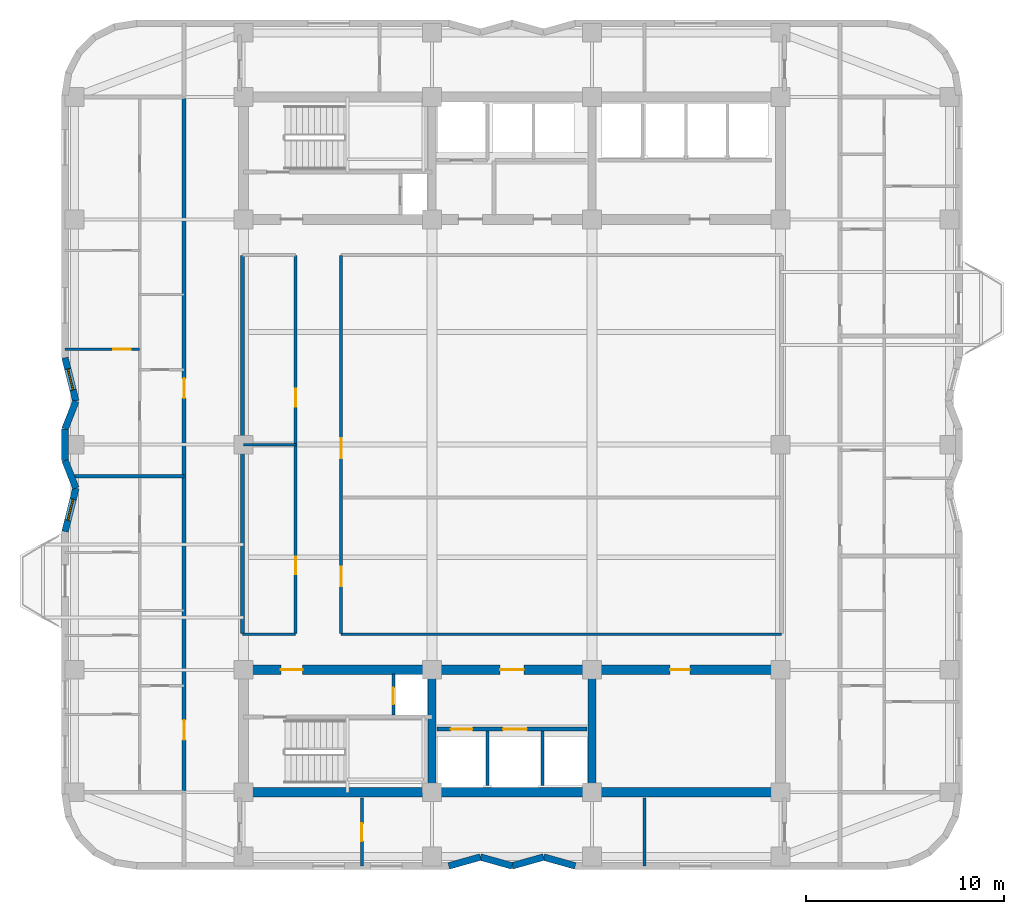
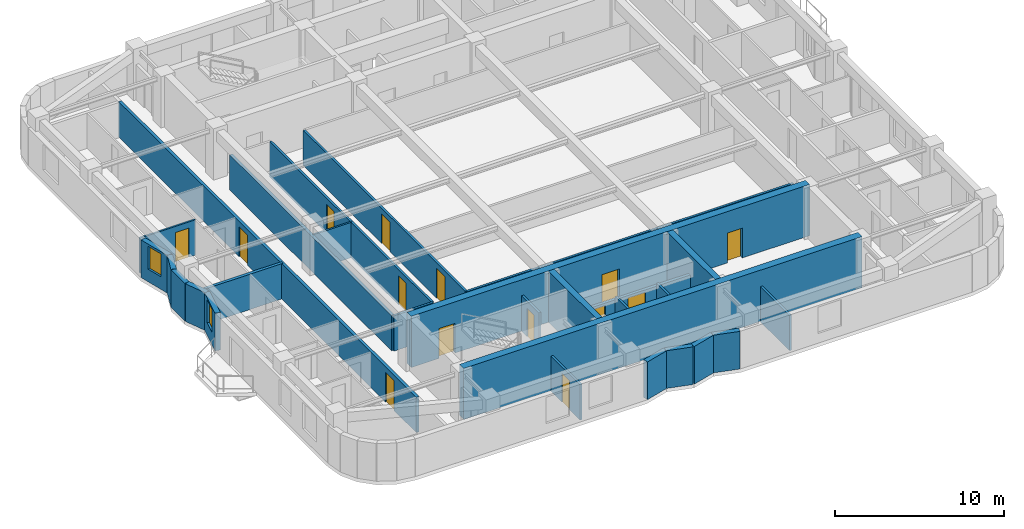
# One storey, part 3 of 8: 28 walls, 14 doors, 2 windows, 16 openings.
"""IFC4 building model written with IfcOpenShell, lengths in metres."""

from ifc_helpers import new_model, si_unit, direction, frame, frame_2d, origin, place, context, subcontext, project, spatial, rectangle, extrude, material, layer, layer_set, type_object, element, fill, save


model = new_model("IFC4")

# Units and contexts
model_context = context("Model", 3, precision=1e-05, world=origin(), true_north=direction((0.0, 1.0)))
body_context = subcontext(model_context, "Body", "Model", "MODEL_VIEW")
ifc_project = project(units=[si_unit("LENGTHUNIT", "METRE"), si_unit("AREAUNIT", "SQUARE_METRE"), si_unit("VOLUMEUNIT", "CUBIC_METRE"), si_unit("PLANEANGLEUNIT", "RADIAN"), si_unit("MASSUNIT", "GRAM", prefix="KILO")], contexts=[model_context])

# Site, building, storey
site_placement = place(None, origin())
site = spatial("IfcSite", under=ifc_project, at=site_placement, CompositionType="ELEMENT")
building_placement = place(site_placement, origin())
building = spatial("IfcBuilding", under=site, at=building_placement, Name="Svetorya Sky Lyceum", CompositionType="ELEMENT")
storey_placement = place(building_placement, frame((0.0, 0.0, 147.800048828125)))
storey = spatial("IfcBuildingStorey", under=building, at=storey_placement, Name="L36", CompositionType="ELEMENT", Elevation=147.800048828125)

# Walls
ifc_material_1 = material(Name="Concrete C40/50", Category="concrete")
ifc_layer_1 = layer(ifc_material_1, 0.39990234375)
ifc_layer_set_1 = layer_set([ifc_layer_1], Name="Concrete C40/50")
wall_type_1 = type_object("IfcWallType", Name="WL-CORE-400", PredefinedType="SHEAR", material=ifc_layer_set_1)
for number, where, z_axis, x_axis, name in (
    (1, (35.14990234375, 10.85009765625, 0.0), (0.0, 0.0, 1.0), (0.0, 1.0, 0.0), "L36 SC Internal Shear Web WEB1"),
    (2, (43.25, 10.85009765625, 0.0), (0.0, 0.0, 1.0), (0.0, 1.0, 0.0), "L36 SC Internal Shear Web WEB2"),
):
    element("IfcWall", number, at=place(storey_placement, frame(where, z_axis=z_axis, x_axis=x_axis)), inside=storey, type_object=wall_type_1, Name=name, PredefinedType="SHEAR", context=body_context, shape_type="SweptSolid", body=[
        extrude(rectangle(XDim=5.699951171875, YDim=0.39990234375, at=frame_2d((2.85009765625, 0.0))), origin(), (0.0, 0.0, 1.0), 3.699951171875),
    ])
ifc_material_2 = material(Name="Concrete C50/60", Category="concrete")
ifc_layer_2 = layer(ifc_material_2, 0.5)
ifc_layer_set_2 = layer_set([ifc_layer_2], Name="Concrete C50/60")
wall_type_2 = type_object("IfcWallType", Name="WL-CORE-500", PredefinedType="SHEAR", material=ifc_layer_set_2)
wall_1_placement = place(storey_placement, frame((52.800048828125, 10.60009765625, 0.0), z_axis=(0.0, 0.0, 1.0), x_axis=(-1.0, 0.0, 0.0)))
element("IfcWall", 3, at=wall_1_placement, inside=storey, type_object=wall_type_2, Name="L36 SC Outer Core Shear Wall", PredefinedType="SHEAR", context=body_context, shape_type="SweptSolid", body=[
    extrude(rectangle(XDim=27.199951171875, YDim=0.5, at=frame_2d((13.60009765625, 0.0))), origin(), (0.0, 0.0, 1.0), 3.699951171875),
])

# Wall, openings, doors
wall_2_placement = place(storey_placement, frame((25.60009765625, 16.800048828125, 0.0), z_axis=(0.0, 0.0, 1.0), x_axis=(1.0, 0.0, 0.0)))
wall_2 = element("IfcWall", 4, at=wall_2_placement, inside=storey, type_object=wall_type_2, Name="L36 SC Inner Core Shear Wall", PredefinedType="SHEAR", context=body_context, shape_type="SweptSolid", body=[
    extrude(rectangle(XDim=27.199951171875, YDim=0.5, at=frame_2d((13.60009765625, 0.0))), origin(), (0.0, 0.0, 1.0), 3.699951171875),
])
opening_1_placement = place(wall_2_placement, frame((1.89990234375, 0.0, 0.0)))
opening_1 = element("IfcOpeningElement", 5, at=opening_1_placement, cuts=wall_2, Name="Opening D-ST1", PredefinedType="OPENING", context=body_context, shape_type="SweptSolid", body=[
    extrude(rectangle(XDim=1.10009765625, YDim=2.14990234375, at=frame_2d((0.550048828125, 1.074951171875))), frame((0.0, 0.260009765625, 0.0), z_axis=(0.0, -1.0, 0.0), x_axis=(1.0, 0.0, 0.0)), (0.0, 0.0, 1.0), 0.52001953125),
])
opening_2_placement = place(wall_2_placement, frame((13.0, 0.0, 0.0)))
opening_2 = element("IfcOpeningElement", 6, at=opening_2_placement, cuts=wall_2, Name="Opening D-FL1", PredefinedType="OPENING", context=body_context, shape_type="SweptSolid", body=[
    extrude(rectangle(XDim=1.199951171875, YDim=2.14990234375, at=frame_2d((0.60009765625, 1.074951171875))), frame((0.0, 0.260009765625, 0.0), z_axis=(0.0, -1.0, 0.0), x_axis=(1.0, 0.0, 0.0)), (0.0, 0.0, 1.0), 0.52001953125),
])
opening_3_placement = place(wall_2_placement, frame((21.60009765625, 0.0, 0.0)))
opening_3 = element("IfcOpeningElement", 7, at=opening_3_placement, cuts=wall_2, Name="Opening D-RM2", PredefinedType="OPENING", context=body_context, shape_type="SweptSolid", body=[
    extrude(rectangle(XDim=1.0, YDim=2.14990234375, at=frame_2d((0.5, 1.074951171875))), frame((0.0, 0.260009765625, 0.0), z_axis=(0.0, -1.0, 0.0), x_axis=(1.0, 0.0, 0.0)), (0.0, 0.0, 1.0), 0.52001953125),
])
ifc_material_3 = material(Name="Powder-coated insulated galvanized stair fire door")
door_type_1 = type_object("IfcDoorType", Name="DR-FIRE-1100", OperationType="SINGLE_SWING_LEFT", PredefinedType="DOOR", material=ifc_material_3)
door_1_placement = place(opening_1_placement, origin())
door_1 = element("IfcDoor", 8, at=door_1_placement, inside=storey, type_object=door_type_1, Name="L36 South Stair Airlock Door", OperationType="SINGLE_SWING_RIGHT", OverallHeight=2.14990234375, OverallWidth=1.10009765625, PredefinedType="DOOR", context=body_context, shape_type="SweptSolid", body=[
    extrude(rectangle(XDim=1.10009765625, YDim=2.14990234375, at=frame_2d((0.550048828125, 1.074951171875))), frame((0.0, 0.02490234375, 0.0), z_axis=(0.0, -1.0, 0.0), x_axis=(1.0, 0.0, 0.0)), (0.0, 0.0, 1.0), 0.050048828125),
])
fill(opening_1, door_1)
ifc_material_4 = material(Name="Powder-coated insulated galvanized fire door")
door_type_2 = type_object("IfcDoorType", Name="DR-FIRE-1200", OperationType="SINGLE_SWING_LEFT", PredefinedType="DOOR", material=ifc_material_4)
door_2_placement = place(opening_2_placement, origin())
door_2 = element("IfcDoor", 9, at=door_2_placement, inside=storey, type_object=door_type_2, Name="L36 South Firefighting Lift Lobby Door", OperationType="SINGLE_SWING_LEFT", OverallHeight=2.14990234375, OverallWidth=1.199951171875, PredefinedType="DOOR", context=body_context, shape_type="SweptSolid", body=[
    extrude(rectangle(XDim=1.199951171875, YDim=2.14990234375, at=frame_2d((0.60009765625, 1.074951171875))), frame((0.0, 0.02490234375, 0.0), z_axis=(0.0, -1.0, 0.0), x_axis=(1.0, 0.0, 0.0)), (0.0, 0.0, 1.0), 0.050048828125),
])
fill(opening_2, door_2)
ifc_material_5 = material(Name="Solid-core oak acoustic room door")
door_type_3 = type_object("IfcDoorType", Name="DR-INT-1000", OperationType="SINGLE_SWING_LEFT", PredefinedType="DOOR", material=ifc_material_5)
door_3_placement = place(opening_3_placement, origin())
door_3 = element("IfcDoor", 10, at=door_3_placement, inside=storey, type_object=door_type_3, Name="L36 Trunk Store Door", OperationType="SINGLE_SWING_LEFT", OverallHeight=2.14990234375, OverallWidth=1.0, PredefinedType="DOOR", context=body_context, shape_type="SweptSolid", body=[
    extrude(rectangle(XDim=1.0, YDim=2.14990234375, at=frame_2d((0.5, 1.074951171875))), frame((0.0, 0.02490234375, 0.0), z_axis=(0.0, -1.0, 0.0), x_axis=(1.0, 0.0, 0.0)), (0.0, 0.0, 1.0), 0.050048828125),
])
fill(opening_3, door_3)

# Walls
ifc_material_6 = material(Name="Putilovo limestone rainscreen on autoclaved cellular masonry", Category="masonry")
ifc_layer_3 = layer(ifc_material_6, 0.340087890625)
ifc_layer_set_3 = layer_set([ifc_layer_3], Name="Putilovo limestone rainscreen on autoclaved cellular masonry")
wall_type_3 = type_object("IfcWallType", Name="WL-EXT-340", PredefinedType="SOLIDWALL", material=ifc_layer_set_3)
wall_3_placement = place(storey_placement, frame((36.0, 6.8701171875, 0.0), z_axis=(0.0, 0.0, 1.0), x_axis=(0.962662902433, 0.270703040766, 0.0)))
element("IfcWall", 11, at=wall_3_placement, inside=storey, type_object=wall_type_3, Name="L36 Limestone Exterior Wall 7M", PredefinedType="SOLIDWALL", context=body_context, shape_type="SweptSolid", body=[
    extrude(rectangle(XDim=1.662109375, YDim=0.340087890625, at=frame_2d((0.8310546875, 0.0))), origin(), (0.0, 0.0, 1.0), 2.719970703125),
])
wall_4_placement = place(storey_placement, frame((37.60009765625, 7.320068359375, 0.0), z_axis=(0.0, 0.0, 1.0), x_axis=(0.962652136636, -0.270741322725, 0.0)))
element("IfcWall", 12, at=wall_4_placement, inside=storey, type_object=wall_type_3, Name="L36 Limestone Exterior Wall 8M", PredefinedType="SOLIDWALL", context=body_context, shape_type="SweptSolid", body=[
    extrude(rectangle(XDim=1.661865234375, YDim=0.340087890625, at=frame_2d((0.8310546875, 0.0))), origin(), (0.0, 0.0, 1.0), 2.719970703125),
])
wall_5_placement = place(storey_placement, frame((39.199951171875, 6.8701171875, 0.0), z_axis=(0.0, 0.0, 1.0), x_axis=(0.962662902433, 0.270703040766, 0.0)))
element("IfcWall", 13, at=wall_5_placement, inside=storey, type_object=wall_type_3, Name="L36 Limestone Exterior Wall 9M", PredefinedType="SOLIDWALL", context=body_context, shape_type="SweptSolid", body=[
    extrude(rectangle(XDim=1.662109375, YDim=0.340087890625, at=frame_2d((0.8310546875, 0.0))), origin(), (0.0, 0.0, 1.0), 2.719970703125),
])
wall_6_placement = place(storey_placement, frame((40.800048828125, 7.320068359375, 0.0), z_axis=(0.0, 0.0, 1.0), x_axis=(0.962652136636, -0.270741322725, 0.0)))
element("IfcWall", 14, at=wall_6_placement, inside=storey, type_object=wall_type_3, Name="L36 Limestone Exterior Wall 10M", PredefinedType="SOLIDWALL", context=body_context, shape_type="SweptSolid", body=[
    extrude(rectangle(XDim=1.661865234375, YDim=0.340087890625, at=frame_2d((0.8310546875, 0.0))), origin(), (0.0, 0.0, 1.0), 2.719970703125),
])

# Wall, opening, window
wall_7_placement = place(storey_placement, frame((16.570068359375, 32.60009765625, 0.0), z_axis=(0.0, 0.0, 1.0), x_axis=(0.242535625036, -0.970142500145, 0.0)))
wall_7 = element("IfcWall", 15, at=wall_7_placement, inside=storey, type_object=wall_type_3, Name="L36 Limestone Exterior Wall 41M", PredefinedType="SOLIDWALL", context=body_context, shape_type="SweptSolid", body=[
    extrude(rectangle(XDim=2.267822265625, YDim=0.340087890625, at=frame_2d((1.1337890625, 0.0))), origin(), (0.0, 0.0, 1.0), 2.719970703125),
])
opening_4_placement = place(wall_7_placement, frame((0.583984375, 0.0, 0.909912109375)))
opening_4 = element("IfcOpeningElement", 16, at=opening_4_placement, cuts=wall_7, Name="Opening W-R3", PredefinedType="OPENING", context=body_context, shape_type="SweptSolid", body=[
    extrude(rectangle(XDim=1.10009765625, YDim=1.64990234375, at=frame_2d((0.550048828125, 0.824951171875))), frame((0.0, 0.179931640625, 0.0), z_axis=(0.0, -1.0, 0.0), x_axis=(1.0, 0.0, 0.0)), (0.0, 0.0, 1.0), 0.360107421875),
])
ifc_material_7 = material(Name="Thermally broken aluminium frame with triple low-E glazing", Category="aluminium")
window_type = type_object("IfcWindowType", Name="WN-RES-110", PartitioningType="SINGLE_PANEL", PredefinedType="WINDOW", material=ifc_material_7)
window_1_placement = place(opening_4_placement, origin())
window_1 = element("IfcWindow", 17, at=window_1_placement, inside=storey, type_object=window_type, Name="L36 Facade Window W-R3.41M.1", OverallHeight=1.64990234375, OverallWidth=1.10009765625, PartitioningType="SINGLE_PANEL", PredefinedType="WINDOW", context=body_context, shape_type="SweptSolid", body=[
    extrude(rectangle(XDim=1.10009765625, YDim=1.64990234375, at=frame_2d((0.550048828125, 0.824951171875))), frame((0.0, 0.030029296875, 0.0), z_axis=(0.0, -1.0, 0.0), x_axis=(1.0, 0.0, 0.0)), (0.0, 0.0, 1.0), 0.06005859375),
])
fill(opening_4, window_1)

# Walls
wall_8_placement = place(storey_placement, frame((17.1201171875, 30.39990234375, 0.0), z_axis=(0.0, 0.0, 1.0), x_axis=(-0.365702591843, -0.930731762818, 0.0)))
element("IfcWall", 18, at=wall_8_placement, inside=storey, type_object=wall_type_3, Name="L36 Limestone Exterior Wall 42M", PredefinedType="SOLIDWALL", context=body_context, shape_type="SweptSolid", body=[
    extrude(rectangle(XDim=1.504150390625, YDim=0.340087890625, at=frame_2d((0.751953125, 0.0))), origin(), (0.0, 0.0, 1.0), 2.719970703125),
])
wall_9_placement = place(storey_placement, frame((16.570068359375, 29.0, 0.0), z_axis=(0.0, 0.0, 1.0), x_axis=(0.0, -1.0, 0.0)))
element("IfcWall", 19, at=wall_9_placement, inside=storey, type_object=wall_type_3, Name="L36 Limestone Exterior Wall 43M", PredefinedType="SOLIDWALL", context=body_context, shape_type="SweptSolid", body=[
    extrude(rectangle(XDim=1.60009765625, YDim=0.340087890625, at=frame_2d((0.800048828125, 0.0))), origin(), (0.0, 0.0, 1.0), 2.719970703125),
])
wall_10_placement = place(storey_placement, frame((16.570068359375, 27.39990234375, 0.0), z_axis=(0.0, 0.0, 1.0), x_axis=(0.365702591843, -0.930731762818, 0.0)))
element("IfcWall", 20, at=wall_10_placement, inside=storey, type_object=wall_type_3, Name="L36 Limestone Exterior Wall 44M", PredefinedType="SOLIDWALL", context=body_context, shape_type="SweptSolid", body=[
    extrude(rectangle(XDim=1.504150390625, YDim=0.340087890625, at=frame_2d((0.751953125, 0.0))), origin(), (0.0, 0.0, 1.0), 2.719970703125),
])

# Wall, opening, window
wall_11_placement = place(storey_placement, frame((17.1201171875, 26.0, 0.0), z_axis=(0.0, 0.0, 1.0), x_axis=(-0.242560957029, -0.970136166796, 0.0)))
wall_11 = element("IfcWall", 21, at=wall_11_placement, inside=storey, type_object=wall_type_3, Name="L36 Limestone Exterior Wall 45M", PredefinedType="SOLIDWALL", context=body_context, shape_type="SweptSolid", body=[
    extrude(rectangle(XDim=2.267578125, YDim=0.340087890625, at=frame_2d((1.1337890625, 0.0))), origin(), (0.0, 0.0, 1.0), 2.719970703125),
])
opening_5_placement = place(wall_11_placement, frame((0.583984375, 0.0, 0.909912109375)))
opening_5 = element("IfcOpeningElement", 22, at=opening_5_placement, cuts=wall_11, Name="Opening W-R3", PredefinedType="OPENING", context=body_context, shape_type="SweptSolid", body=[
    extrude(rectangle(XDim=1.10009765625, YDim=1.64990234375, at=frame_2d((0.550048828125, 0.824951171875))), frame((0.0, 0.179931640625, 0.0), z_axis=(0.0, -1.0, 0.0), x_axis=(1.0, 0.0, 0.0)), (0.0, 0.0, 1.0), 0.360107421875),
])
window_2_placement = place(opening_5_placement, origin())
window_2 = element("IfcWindow", 23, at=window_2_placement, inside=storey, type_object=window_type, Name="L36 Facade Window W-R3.45M.1", OverallHeight=1.64990234375, OverallWidth=1.10009765625, PartitioningType="SINGLE_PANEL", PredefinedType="WINDOW", context=body_context, shape_type="SweptSolid", body=[
    extrude(rectangle(XDim=1.10009765625, YDim=1.64990234375, at=frame_2d((0.550048828125, 0.824951171875))), frame((0.0, 0.030029296875, 0.0), z_axis=(0.0, -1.0, 0.0), x_axis=(1.0, 0.0, 0.0)), (0.0, 0.0, 1.0), 0.06005859375),
])
fill(opening_5, window_2)

# Wall
ifc_material_8 = material(Name="Twin-stud galvanized framing with double fireboard", Category="gypsum")
ifc_layer_4 = layer(ifc_material_8, 0.1201171875)
ifc_layer_set_4 = layer_set([ifc_layer_4], Name="Twin-stud galvanized framing with double fireboard")
wall_type_4 = type_object("IfcWallType", Name="WL-PART-120", PredefinedType="PARTITIONING", material=ifc_layer_set_4)
wall_12_placement = place(storey_placement, frame((25.60009765625, 28.199951171875, 0.0), z_axis=(0.0, 0.0, 1.0), x_axis=(1.0, 0.0, 0.0)))
element("IfcWall", 24, at=wall_12_placement, inside=storey, type_object=wall_type_4, Name="L36 Interior Partition OFF-HW", PredefinedType="PARTITIONING", context=body_context, shape_type="SweptSolid", body=[
    extrude(rectangle(XDim=2.659912109375, YDim=0.1201171875, at=frame_2d((1.330078125, 0.0))), origin(), (0.0, 0.0, 1.0), 2.550048828125),
])

# Wall, opening, door
wall_13_placement = place(storey_placement, frame((16.570068359375, 33.030029296875, 0.0), z_axis=(0.0, 0.0, 1.0), x_axis=(1.0, 0.0, 0.0)))
wall_13 = element("IfcWall", 25, at=wall_13_placement, inside=storey, type_object=wall_type_4, Name="L36 Interior Partition W2-WL1", PredefinedType="PARTITIONING", context=body_context, shape_type="SweptSolid", body=[
    extrude(rectangle(XDim=3.780029296875, YDim=0.1201171875, at=frame_2d((1.89013671875, 0.0))), origin(), (0.0, 0.0, 1.0), 2.550048828125),
])
opening_6_placement = place(wall_13_placement, frame((2.429931640625, 0.0, 0.0)))
opening_6 = element("IfcOpeningElement", 26, at=opening_6_placement, cuts=wall_13, Name="Opening D-RM1", PredefinedType="OPENING", context=body_context, shape_type="SweptSolid", body=[
    extrude(rectangle(XDim=0.89990234375, YDim=2.10009765625, at=frame_2d((0.449951171875, 1.050048828125))), frame((0.0, 0.070068359375, 0.0), z_axis=(0.0, -1.0, 0.0), x_axis=(1.0, 0.0, 0.0)), (0.0, 0.0, 1.0), 0.14013671875),
])
ifc_material_9 = material(Name="Lacquered birch veneer internal door")
door_type_4 = type_object("IfcDoorType", Name="DR-INT-900", OperationType="SINGLE_SWING_LEFT", PredefinedType="DOOR", material=ifc_material_9)
door_4_placement = place(opening_6_placement, origin())
door_4 = element("IfcDoor", 27, at=door_4_placement, inside=storey, type_object=door_type_4, Name="Apartment W2 Master Bedroom Door", OperationType="SINGLE_SWING_RIGHT", OverallHeight=2.10009765625, OverallWidth=0.89990234375, PredefinedType="DOOR", context=body_context, shape_type="SweptSolid", body=[
    extrude(rectangle(XDim=0.89990234375, YDim=2.10009765625, at=frame_2d((0.449951171875, 1.050048828125))), frame((0.0, 0.02490234375, 0.0), z_axis=(0.0, -1.0, 0.0), x_axis=(1.0, 0.0, 0.0)), (0.0, 0.0, 1.0), 0.050048828125),
])
fill(opening_6, door_4)

ifc_material_10 = material(Name="Autoclaved cellular masonry blockwork with acoustic render", Category="masonry")
ifc_layer_5 = layer(ifc_material_10, 0.14990234375)
ifc_layer_set_5 = layer_set([ifc_layer_5], Name="Autoclaved cellular masonry blockwork with acoustic render")
wall_type_5 = type_object("IfcWallType", Name="WL-PART-150", PredefinedType="PARTITIONING", material=ifc_layer_set_5)
wall_14_placement = place(storey_placement, frame((33.199951171875, 14.5, 0.0), z_axis=(0.0, 0.0, 1.0), x_axis=(0.0, 1.0, 0.0)))
wall_14 = element("IfcWall", 28, at=wall_14_placement, inside=storey, type_object=wall_type_5, Name="L36 Interior Partition SC-AIRDIV", PredefinedType="PARTITIONING", context=body_context, shape_type="SweptSolid", body=[
    extrude(rectangle(XDim=2.080078125, YDim=0.14990234375, at=frame_2d((1.0400390625, 0.0))), origin(), (0.0, 0.0, 1.0), 2.550048828125),
])
opening_7_placement = place(wall_14_placement, frame((0.550048828125, 0.0, 0.0)))
opening_7 = element("IfcOpeningElement", 29, at=opening_7_placement, cuts=wall_14, Name="Opening D-SH1", PredefinedType="OPENING", context=body_context, shape_type="SweptSolid", body=[
    extrude(rectangle(XDim=0.85009765625, YDim=2.050048828125, at=frame_2d((0.425048828125, 1.02490234375))), frame((0.0, 0.0849609375, 0.0), z_axis=(0.0, -1.0, 0.0), x_axis=(1.0, 0.0, 0.0)), (0.0, 0.0, 1.0), 0.169921875),
])
ifc_material_11 = material(Name="Insulated galvanized riser inspection fire door")
door_type_5 = type_object("IfcDoorType", Name="DR-SHFT-850", OperationType="SINGLE_SWING_LEFT", PredefinedType="TRAPDOOR", material=ifc_material_11)
door_5_placement = place(opening_7_placement, origin())
door_5 = element("IfcDoor", 30, at=door_5_placement, inside=storey, type_object=door_type_5, Name="L36 South Riser Access Door", OperationType="SINGLE_SWING_RIGHT", OverallHeight=2.050048828125, OverallWidth=0.85009765625, PredefinedType="TRAPDOOR", context=body_context, shape_type="SweptSolid", body=[
    extrude(rectangle(XDim=0.85009765625, YDim=2.050048828125, at=frame_2d((0.425048828125, 1.02490234375))), frame((0.0, 0.02490234375, 0.0), z_axis=(0.0, -1.0, 0.0), x_axis=(1.0, 0.0, 0.0)), (0.0, 0.0, 1.0), 0.050048828125),
])
fill(opening_7, door_5)

# Walls
for number, where, z_axis, x_axis, name in (
    (31, (37.949951171875, 10.949951171875, 0.0), (0.0, 0.0, 1.0), (0.0, 1.0, 0.0), "L36 Interior Partition SC-SHD1"),
    (32, (40.75, 10.949951171875, 0.0), (0.0, 0.0, 1.0), (0.0, 1.0, 0.0), "L36 Interior Partition SC-SHD2"),
):
    element("IfcWall", number, at=place(storey_placement, frame(where, z_axis=z_axis, x_axis=x_axis)), inside=storey, type_object=wall_type_5, Name=name, PredefinedType="PARTITIONING", context=body_context, shape_type="SweptSolid", body=[
        extrude(rectangle(XDim=2.75, YDim=0.14990234375, at=frame_2d((1.375, 0.0))), origin(), (0.0, 0.0, 1.0), 2.550048828125),
    ])
wall_15_placement = place(storey_placement, frame((25.550048828125, 18.60009765625, 0.0), z_axis=(0.0, 0.0, 1.0), x_axis=(1.0, 0.0, 0.0)))
element("IfcWall", 33, at=wall_15_placement, inside=storey, type_object=wall_type_5, Name="L36 Interior Partition OFF-CS-W", PredefinedType="PARTITIONING", context=body_context, shape_type="SweptSolid", body=[
    extrude(rectangle(XDim=2.699951171875, YDim=0.14990234375, at=frame_2d((1.35009765625, 0.0))), origin(), (0.0, 0.0, 1.0), 2.550048828125),
])
wall_16_placement = place(storey_placement, frame((30.550048828125, 18.60009765625, 0.0), z_axis=(0.0, 0.0, 1.0), x_axis=(1.0, 0.0, 0.0)))
element("IfcWall", 34, at=wall_16_placement, inside=storey, type_object=wall_type_5, Name="L36 Interior Partition OFF-CS-E", PredefinedType="PARTITIONING", context=body_context, shape_type="SweptSolid", body=[
    extrude(rectangle(XDim=22.300048828125, YDim=0.14990234375, at=frame_2d((11.14990234375, 0.0))), origin(), (0.0, 0.0, 1.0), 2.550048828125),
])

# Wall, openings, doors
wall_17_placement = place(storey_placement, frame((28.25, 18.6298828125, 0.0), z_axis=(0.0, 0.0, 1.0), x_axis=(0.0, 1.0, 0.0)))
wall_17 = element("IfcWall", 35, at=wall_17_placement, inside=storey, type_object=wall_type_5, Name="L36 Interior Partition OFF-VW", PredefinedType="PARTITIONING", context=body_context, shape_type="SweptSolid", body=[
    extrude(rectangle(XDim=19.14013671875, YDim=0.14990234375, at=frame_2d((9.570068359375, 0.0))), origin(), (0.0, 0.0, 1.0), 2.550048828125),
])
opening_8_placement = place(wall_17_placement, frame((3.0, 0.0, 0.0)))
opening_8 = element("IfcOpeningElement", 36, at=opening_8_placement, cuts=wall_17, Name="Opening D-RM1", PredefinedType="OPENING", context=body_context, shape_type="SweptSolid", body=[
    extrude(rectangle(XDim=0.89990234375, YDim=2.10009765625, at=frame_2d((0.449951171875, 1.050048828125))), frame((0.0, 0.0849609375, 0.0), z_axis=(0.0, -1.0, 0.0), x_axis=(1.0, 0.0, 0.0)), (0.0, 0.0, 1.0), 0.169921875),
])
opening_9_placement = place(wall_17_placement, frame((11.5, 0.0, 0.0)))
opening_9 = element("IfcOpeningElement", 37, at=opening_9_placement, cuts=wall_17, Name="Opening D-RM1", PredefinedType="OPENING", context=body_context, shape_type="SweptSolid", body=[
    extrude(rectangle(XDim=0.89990234375, YDim=2.10009765625, at=frame_2d((0.449951171875, 1.050048828125))), frame((0.0, 0.0849609375, 0.0), z_axis=(0.0, -1.0, 0.0), x_axis=(1.0, 0.0, 0.0)), (0.0, 0.0, 1.0), 0.169921875),
])
door_6_placement = place(opening_8_placement, origin())
door_6 = element("IfcDoor", 38, at=door_6_placement, inside=storey, type_object=door_type_4, Name="L36 Study Door", OperationType="SINGLE_SWING_LEFT", OverallHeight=2.10009765625, OverallWidth=0.89990234375, PredefinedType="DOOR", context=body_context, shape_type="SweptSolid", body=[
    extrude(rectangle(XDim=0.89990234375, YDim=2.10009765625, at=frame_2d((0.449951171875, 1.050048828125))), frame((0.0, 0.02490234375, 0.0), z_axis=(0.0, -1.0, 0.0), x_axis=(1.0, 0.0, 0.0)), (0.0, 0.0, 1.0), 0.050048828125),
])
fill(opening_8, door_6)
door_7_placement = place(opening_9_placement, origin())
door_7 = element("IfcDoor", 39, at=door_7_placement, inside=storey, type_object=door_type_4, Name="L36 Focus Door", OperationType="SINGLE_SWING_RIGHT", OverallHeight=2.10009765625, OverallWidth=0.89990234375, PredefinedType="DOOR", context=body_context, shape_type="SweptSolid", body=[
    extrude(rectangle(XDim=0.89990234375, YDim=2.10009765625, at=frame_2d((0.449951171875, 1.050048828125))), frame((0.0, 0.02490234375, 0.0), z_axis=(0.0, -1.0, 0.0), x_axis=(1.0, 0.0, 0.0)), (0.0, 0.0, 1.0), 0.050048828125),
])
fill(opening_9, door_7)

wall_18_placement = place(storey_placement, frame((30.550048828125, 18.6298828125, 0.0), z_axis=(0.0, 0.0, 1.0), x_axis=(0.0, 1.0, 0.0)))
wall_18 = element("IfcWall", 40, at=wall_18_placement, inside=storey, type_object=wall_type_5, Name="L36 Interior Partition OFF-VE", PredefinedType="PARTITIONING", context=body_context, shape_type="SweptSolid", body=[
    extrude(rectangle(XDim=19.14013671875, YDim=0.14990234375, at=frame_2d((9.570068359375, 0.0))), origin(), (0.0, 0.0, 1.0), 2.550048828125),
])
opening_10_placement = place(wall_18_placement, frame((2.39990234375, 0.0, 0.0)))
opening_10 = element("IfcOpeningElement", 41, at=opening_10_placement, cuts=wall_18, Name="Opening D-RM2", PredefinedType="OPENING", context=body_context, shape_type="SweptSolid", body=[
    extrude(rectangle(XDim=1.0, YDim=2.14990234375, at=frame_2d((0.5, 1.074951171875))), frame((0.0, 0.0849609375, 0.0), z_axis=(0.0, -1.0, 0.0), x_axis=(1.0, 0.0, 0.0)), (0.0, 0.0, 1.0), 0.169921875),
])
opening_11_placement = place(wall_18_placement, frame((8.890380859375, 0.0, 0.0)))
opening_11 = element("IfcOpeningElement", 42, at=opening_11_placement, cuts=wall_18, Name="Opening D-RM2", PredefinedType="OPENING", context=body_context, shape_type="SweptSolid", body=[
    extrude(rectangle(XDim=1.0, YDim=2.14990234375, at=frame_2d((0.5, 1.074951171875))), frame((0.0, 0.0849609375, 0.0), z_axis=(0.0, -1.0, 0.0), x_axis=(1.0, 0.0, 0.0)), (0.0, 0.0, 1.0), 0.169921875),
])
door_8_placement = place(opening_10_placement, origin())
door_8 = element("IfcDoor", 43, at=door_8_placement, inside=storey, type_object=door_type_3, Name="L36 Club Door", OperationType="SINGLE_SWING_RIGHT", OverallHeight=2.14990234375, OverallWidth=1.0, PredefinedType="DOOR", context=body_context, shape_type="SweptSolid", body=[
    extrude(rectangle(XDim=1.0, YDim=2.14990234375, at=frame_2d((0.5, 1.074951171875))), frame((0.0, 0.02490234375, 0.0), z_axis=(0.0, -1.0, 0.0), x_axis=(1.0, 0.0, 0.0)), (0.0, 0.0, 1.0), 0.050048828125),
])
fill(opening_10, door_8)
door_9_placement = place(opening_11_placement, origin())
door_9 = element("IfcDoor", 44, at=door_9_placement, inside=storey, type_object=door_type_3, Name="L36 Seminar Door", OperationType="SINGLE_SWING_LEFT", OverallHeight=2.14990234375, OverallWidth=1.0, PredefinedType="DOOR", context=body_context, shape_type="SweptSolid", body=[
    extrude(rectangle(XDim=1.0, YDim=2.14990234375, at=frame_2d((0.5, 1.074951171875))), frame((0.0, 0.02490234375, 0.0), z_axis=(0.0, -1.0, 0.0), x_axis=(1.0, 0.0, 0.0)), (0.0, 0.0, 1.0), 0.050048828125),
])
fill(opening_11, door_9)

# Wall, opening, door
wall_19_placement = place(storey_placement, frame((31.60009765625, 6.8701171875, 0.0), z_axis=(0.0, 0.0, 1.0), x_axis=(0.0, 1.0, 0.0)))
wall_19 = element("IfcWall", 45, at=wall_19_placement, inside=storey, type_object=wall_type_5, Name="L36 Interior Partition S-D1", PredefinedType="PARTITIONING", context=body_context, shape_type="SweptSolid", body=[
    extrude(rectangle(XDim=3.429931640625, YDim=0.14990234375, at=frame_2d((1.71484375, 0.0))), origin(), (0.0, 0.0, 1.0), 2.550048828125),
])
opening_12_placement = place(wall_19_placement, frame((1.25, 0.0, 0.0)))
opening_12 = element("IfcOpeningElement", 46, at=opening_12_placement, cuts=wall_19, Name="Opening D-RM1", PredefinedType="OPENING", context=body_context, shape_type="SweptSolid", body=[
    extrude(rectangle(XDim=0.89990234375, YDim=2.10009765625, at=frame_2d((0.449951171875, 1.050048828125))), frame((0.0, 0.0849609375, 0.0), z_axis=(0.0, -1.0, 0.0), x_axis=(1.0, 0.0, 0.0)), (0.0, 0.0, 1.0), 0.169921875),
])
door_10_placement = place(opening_12_placement, origin())
door_10 = element("IfcDoor", 47, at=door_10_placement, inside=storey, type_object=door_type_4, Name="L36 South Store Door", OperationType="SINGLE_SWING_LEFT", OverallHeight=2.10009765625, OverallWidth=0.89990234375, PredefinedType="DOOR", context=body_context, shape_type="SweptSolid", body=[
    extrude(rectangle(XDim=0.89990234375, YDim=2.10009765625, at=frame_2d((0.449951171875, 1.050048828125))), frame((0.0, 0.02490234375, 0.0), z_axis=(0.0, -1.0, 0.0), x_axis=(1.0, 0.0, 0.0)), (0.0, 0.0, 1.0), 0.050048828125),
])
fill(opening_12, door_10)

# Wall
wall_20_placement = place(storey_placement, frame((45.89990234375, 6.8701171875, 0.0), z_axis=(0.0, 0.0, 1.0), x_axis=(0.0, 1.0, 0.0)))
element("IfcWall", 48, at=wall_20_placement, inside=storey, type_object=wall_type_5, Name="L36 Interior Partition S-D2", PredefinedType="PARTITIONING", context=body_context, shape_type="SweptSolid", body=[
    extrude(rectangle(XDim=3.429931640625, YDim=0.14990234375, at=frame_2d((1.71484375, 0.0))), origin(), (0.0, 0.0, 1.0), 2.550048828125),
])

# Wall, openings, doors
ifc_material_12 = material(Name="Autoclaved cellular masonry blockwork with gypsum plaster", Category="masonry")
ifc_layer_6 = layer(ifc_material_12, 0.199951171875)
ifc_layer_set_6 = layer_set([ifc_layer_6], Name="Autoclaved cellular masonry blockwork with gypsum plaster")
wall_type_6 = type_object("IfcWallType", Name="WL-PART-200", PredefinedType="PARTITIONING", material=ifc_layer_set_6)
wall_21_placement = place(storey_placement, frame((35.39990234375, 13.800048828125, 0.0), z_axis=(0.0, 0.0, 1.0), x_axis=(1.0, 0.0, 0.0)))
wall_21 = element("IfcWall", 49, at=wall_21_placement, inside=storey, type_object=wall_type_6, Name="L36 Interior Partition SC-FLW", PredefinedType="PARTITIONING", context=body_context, shape_type="SweptSolid", body=[
    extrude(rectangle(XDim=7.60009765625, YDim=0.199951171875, at=frame_2d((3.800048828125, 0.0))), origin(), (0.0, 0.0, 1.0), 2.320068359375),
])
opening_13_placement = place(wall_21_placement, frame((0.699951171875, 0.0, 0.0)))
opening_13 = element("IfcOpeningElement", 50, at=opening_13_placement, cuts=wall_21, Name="Opening LD-FL", PredefinedType="OPENING", context=body_context, shape_type="SweptSolid", body=[
    extrude(rectangle(XDim=1.10009765625, YDim=2.14990234375, at=frame_2d((0.550048828125, 1.074951171875))), frame((0.0, 0.10986328125, 0.0), z_axis=(0.0, -1.0, 0.0), x_axis=(1.0, 0.0, 0.0)), (0.0, 0.0, 1.0), 0.219970703125),
])
opening_14_placement = place(wall_21_placement, frame((3.35009765625, 0.0, 0.0)))
opening_14 = element("IfcOpeningElement", 51, at=opening_14_placement, cuts=wall_21, Name="Opening LD-SV", PredefinedType="OPENING", context=body_context, shape_type="SweptSolid", body=[
    extrude(rectangle(XDim=1.199951171875, YDim=2.14990234375, at=frame_2d((0.60009765625, 1.074951171875))), frame((0.0, 0.10986328125, 0.0), z_axis=(0.0, -1.0, 0.0), x_axis=(1.0, 0.0, 0.0)), (0.0, 0.0, 1.0), 0.219970703125),
])
ifc_material_13 = material(Name="Fire-rated stainless AISI 304 firefighting lift landing door")
door_type_6 = type_object("IfcDoorType", Name="DR-LIFT-1100", OperationType="SLIDING_TO_LEFT", PredefinedType="DOOR", material=ifc_material_13)
door_11_placement = place(opening_13_placement, origin())
door_11 = element("IfcDoor", 52, at=door_11_placement, inside=storey, type_object=door_type_6, Name="L36 Firefighting Lift FL2 Landing Door", OperationType="SLIDING_TO_LEFT", OverallHeight=2.14990234375, OverallWidth=1.10009765625, PredefinedType="DOOR", context=body_context, shape_type="SweptSolid", body=[
    extrude(rectangle(XDim=1.10009765625, YDim=2.14990234375, at=frame_2d((0.550048828125, 1.074951171875))), frame((0.0, 0.02490234375, 0.0), z_axis=(0.0, -1.0, 0.0), x_axis=(1.0, 0.0, 0.0)), (0.0, 0.0, 1.0), 0.050048828125),
])
fill(opening_13, door_11)
ifc_material_14 = material(Name="Brushed stainless AISI 304 telescopic lift landing door")
door_type_7 = type_object("IfcDoorType", Name="DR-LIFT-1200", OperationType="SLIDING_TO_LEFT", PredefinedType="DOOR", material=ifc_material_14)
door_12_placement = place(opening_14_placement, origin())
door_12 = element("IfcDoor", 53, at=door_12_placement, inside=storey, type_object=door_type_7, Name="L36 Service Lift SVL1 Landing Door", OperationType="SLIDING_TO_LEFT", OverallHeight=2.14990234375, OverallWidth=1.199951171875, PredefinedType="DOOR", context=body_context, shape_type="SweptSolid", body=[
    extrude(rectangle(XDim=1.199951171875, YDim=2.14990234375, at=frame_2d((0.60009765625, 1.074951171875))), frame((0.0, 0.02490234375, 0.0), z_axis=(0.0, -1.0, 0.0), x_axis=(1.0, 0.0, 0.0)), (0.0, 0.0, 1.0), 0.050048828125),
])
fill(opening_14, door_12)

# Walls
wall_22_placement = place(storey_placement, frame((25.550048828125, 18.6298828125, 0.0), z_axis=(0.0, 0.0, 1.0), x_axis=(0.0, 1.0, 0.0)))
element("IfcWall", 54, at=wall_22_placement, inside=storey, type_object=wall_type_6, Name="L36 Interior Partition W-CEN-SEP", PredefinedType="PARTITIONING", context=body_context, shape_type="SweptSolid", body=[
    extrude(rectangle(XDim=19.14013671875, YDim=0.199951171875, at=frame_2d((9.570068359375, 0.0))), origin(), (0.0, 0.0, 1.0), 2.550048828125),
])
wall_23_placement = place(storey_placement, frame((16.88427734375, 26.60009765625, 0.0), z_axis=(0.0, 0.0, 1.0), x_axis=(1.0, 0.0, 0.0)))
element("IfcWall", 55, at=wall_23_placement, inside=storey, type_object=wall_type_6, Name="L36 Interior Partition W-PARTY-1", PredefinedType="PARTITIONING", context=body_context, shape_type="SweptSolid", body=[
    extrude(rectangle(XDim=5.7158203125, YDim=0.199951171875, at=frame_2d((2.85791015625, 0.0))), origin(), (0.0, 0.0, 1.0), 2.550048828125),
])

# Wall, openings, doors
wall_24_placement = place(storey_placement, frame((22.60009765625, 10.60009765625, 0.0), z_axis=(0.0, 0.0, 1.0), x_axis=(0.0, 1.0, 0.0)))
wall_24 = element("IfcWall", 56, at=wall_24_placement, inside=storey, type_object=wall_type_6, Name="L36 Interior Partition W-CORRW", PredefinedType="PARTITIONING", context=body_context, shape_type="SweptSolid", body=[
    extrude(rectangle(XDim=35.199951171875, YDim=0.199951171875, at=frame_2d((17.60009765625, 0.0))), origin(), (0.0, 0.0, 1.0), 2.550048828125),
])
opening_15_placement = place(wall_24_placement, frame((2.64990234375, 0.0, 0.0)))
opening_15 = element("IfcOpeningElement", 57, at=opening_15_placement, cuts=wall_24, Name="Opening D-APT1", PredefinedType="OPENING", context=body_context, shape_type="SweptSolid", body=[
    extrude(rectangle(XDim=1.0, YDim=2.14990234375, at=frame_2d((0.5, 1.074951171875))), frame((0.0, 0.10986328125, 0.0), z_axis=(0.0, -1.0, 0.0), x_axis=(1.0, 0.0, 0.0)), (0.0, 0.0, 1.0), 0.219970703125),
])
opening_16_placement = place(wall_24_placement, frame((19.949951171875, 0.0, 0.0)))
opening_16 = element("IfcOpeningElement", 58, at=opening_16_placement, cuts=wall_24, Name="Opening D-APT1", PredefinedType="OPENING", context=body_context, shape_type="SweptSolid", body=[
    extrude(rectangle(XDim=1.0, YDim=2.14990234375, at=frame_2d((0.5, 1.074951171875))), frame((0.0, 0.10986328125, 0.0), z_axis=(0.0, -1.0, 0.0), x_axis=(1.0, 0.0, 0.0)), (0.0, 0.0, 1.0), 0.219970703125),
])
ifc_material_15 = material(Name="Insulated oak-veneered apartment entrance door")
door_type_8 = type_object("IfcDoorType", Name="DR-APT-1000", OperationType="SINGLE_SWING_LEFT", PredefinedType="DOOR", material=ifc_material_15)
door_13_placement = place(opening_15_placement, origin())
door_13 = element("IfcDoor", 59, at=door_13_placement, inside=storey, type_object=door_type_8, Name="L36 Apartment W1 Entrance Door", OperationType="SINGLE_SWING_LEFT", OverallHeight=2.14990234375, OverallWidth=1.0, PredefinedType="DOOR", context=body_context, shape_type="SweptSolid", body=[
    extrude(rectangle(XDim=1.0, YDim=2.14990234375, at=frame_2d((0.5, 1.074951171875))), frame((0.0, 0.02490234375, 0.0), z_axis=(0.0, -1.0, 0.0), x_axis=(1.0, 0.0, 0.0)), (0.0, 0.0, 1.0), 0.050048828125),
])
fill(opening_15, door_13)
door_14_placement = place(opening_16_placement, origin())
door_14 = element("IfcDoor", 60, at=door_14_placement, inside=storey, type_object=door_type_8, Name="L36 Apartment W2 Entrance Door", OperationType="SINGLE_SWING_RIGHT", OverallHeight=2.14990234375, OverallWidth=1.0, PredefinedType="DOOR", context=body_context, shape_type="SweptSolid", body=[
    extrude(rectangle(XDim=1.0, YDim=2.14990234375, at=frame_2d((0.5, 1.074951171875))), frame((0.0, 0.02490234375, 0.0), z_axis=(0.0, -1.0, 0.0), x_axis=(1.0, 0.0, 0.0)), (0.0, 0.0, 1.0), 0.050048828125),
])
fill(opening_16, door_14)

save(model, "model.ifc")
